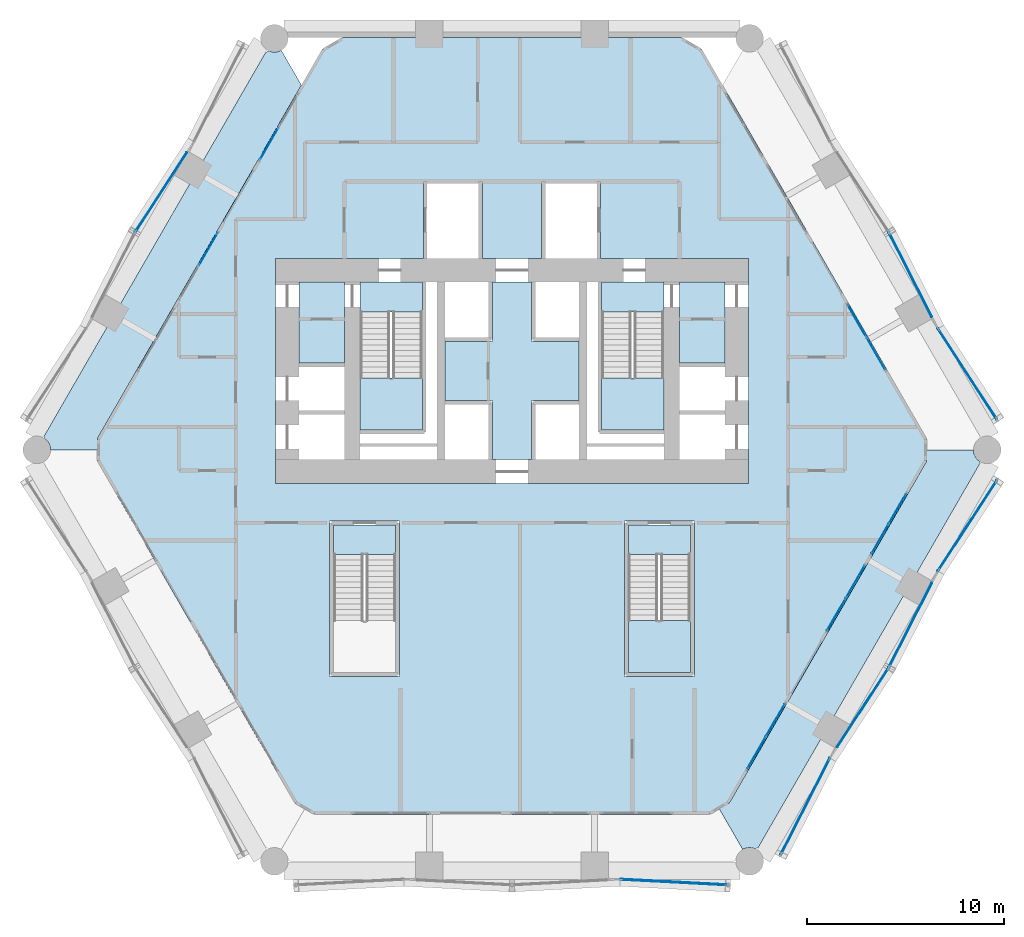
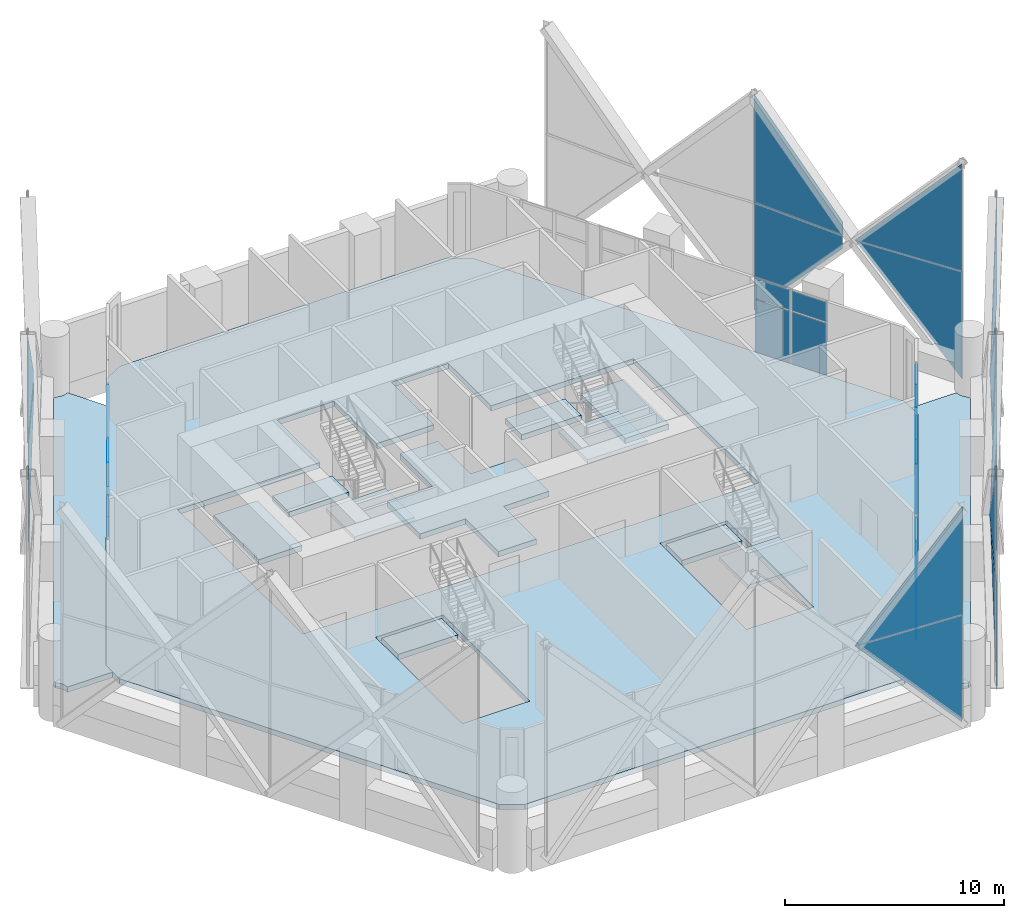
# One storey, part 35 of 46: 35 plates, 13 slabs, 21 elements without a shape of their own.
"""IFC4 building model written with IfcOpenShell, lengths in metres."""

from ifc_helpers import new_model, si_unit, direction, frame, origin, origin_2d, place, context, subcontext, project, spatial, polyline, rectangle, outline, extrude, material, layer, layer_set, type_object, element, aggregate, save


model = new_model("IFC4")

# Units and contexts
model_context = context("Model", 3, precision=1e-05, world=origin(), true_north=direction((0.0, 1.0)))
body_context = subcontext(model_context, "Body", "Model", "MODEL_VIEW")
ifc_project = project(units=[si_unit("LENGTHUNIT", "METRE"), si_unit("AREAUNIT", "SQUARE_METRE"), si_unit("VOLUMEUNIT", "CUBIC_METRE"), si_unit("PLANEANGLEUNIT", "RADIAN"), si_unit("MASSUNIT", "GRAM", prefix="KILO")], contexts=[model_context])

# Site, building, storey
site_placement = place(None, origin())
site = spatial("IfcSite", under=ifc_project, at=site_placement, CompositionType="ELEMENT")
building_placement = place(site_placement, origin())
building = spatial("IfcBuilding", under=site, at=building_placement, Name="Ostrander Bayou Hotel Tower", CompositionType="ELEMENT")
storey_placement = place(building_placement, frame((0.0, 0.0, 23.5)))
storey = spatial("IfcBuildingStorey", under=building, at=storey_placement, Name="L05", CompositionType="ELEMENT", Elevation=23.5)

# Curtain wall, plate
ifc_material_1 = material(Name="Aluminium and clear glass", Category="aluminium")
curtain_wall_type_1 = type_object("IfcCurtainWallType", Name="CW-LAT lattice glazing", PredefinedType="NOTDEFINED", material=ifc_material_1)
curtain_wall_1_placement = place(storey_placement, origin())
curtain_wall_1 = element("IfcCurtainWall", 1, at=curtain_wall_1_placement, inside=storey, type_object=curtain_wall_type_1, Name="CW-LAT L05 NW 1", PredefinedType="NOTDEFINED")
ifc_material_2 = material(Name="Clear laminated glass", Category="glass")
ifc_layer_1 = layer(ifc_material_2, 0.028076171875)
ifc_layer_set_1 = layer_set([ifc_layer_1], Name="CW-LA glazing panel 28 mm")
plate_type_1 = type_object("IfcPlateType", Name="CW-LA glazing panel 28 mm", PredefinedType="CURTAIN_PANEL", material=ifc_layer_set_1)
plate_1_placement = place(storey_placement, frame((-16.4912109375, 15.072509765625, 4.668212890625), z_axis=(-0.83866831588, 0.544642502875, 0.0), x_axis=(-0.367406343741, -0.56575103471, -0.738199394002)))
plate_1 = element("IfcPlate", 2, at=plate_1_placement, type_object=plate_type_1, Name="CW-LAT panel 3", PredefinedType="CURTAIN_PANEL", context=body_context, shape_type="SweptSolid", body=[
    extrude(outline(polyline([(0.0, 0.0), (7.1367039714257245, 4.440892098500626e-16), (2.7075076074163613, 4.047495468687549), (-0.5401327108942082, 0.49358495766831795), (0.0, 0.0)])), origin(), (0.0, 0.0, -1.0), 0.028076171875),
])
aggregate(curtain_wall_1, [plate_1])

curtain_wall_2_placement = place(storey_placement, origin())
curtain_wall_2 = element("IfcCurtainWall", 3, at=curtain_wall_2_placement, inside=storey, type_object=curtain_wall_type_1, Name="CW-LAT L05 NW 2", PredefinedType="NOTDEFINED")
plate_2_placement = place(storey_placement, frame((-16.4912109375, 15.072509765625, 6.1318359375), z_axis=(0.83866831588, -0.544642502875, 0.0), x_axis=(-0.367415622055, -0.565765321932, 0.738183826136)))
plate_2 = element("IfcPlate", 4, at=plate_2_placement, type_object=plate_type_1, Name="CW-LAT panel 4", PredefinedType="CURTAIN_PANEL", context=body_context, shape_type="SweptSolid", body=[
    extrude(outline(polyline([(0.0, 0.0), (7.136523748864649, 4.440892098500626e-16), (2.707420792046409, 4.04759768231774), (-0.5403015407121209, 0.4937621196121656), (0.0, 0.0)])), origin(), (0.0, 0.0, -1.0), 0.028076171875),
])
aggregate(curtain_wall_2, [plate_2])

curtain_wall_3_placement = place(storey_placement, origin())
curtain_wall_3 = element("IfcCurtainWall", 5, at=curtain_wall_3_placement, inside=storey, type_object=curtain_wall_type_1, Name="CW-LAT L05 S 1", PredefinedType="NOTDEFINED")
plate_3_placement = place(storey_placement, frame((5.475341796875, -21.783203125, 5.39990234375), z_axis=(-0.052320446705, -0.998630347454, 0.0), x_axis=(0.673653383854, -0.03529418674, -0.738204198582)))
plate_3 = element("IfcPlate", 6, at=plate_3_placement, type_object=plate_type_1, Name="CW-LAT panel 7", PredefinedType="CURTAIN_PANEL", context=body_context, shape_type="SweptSolid", body=[
    extrude(outline(polyline([(0.0, 0.0), (8.127832395866648, 0.0), (3.69860720437432, 4.047463922390137), (0.0, 0.0)])), origin(), (0.0, 0.0, -1.0), 0.028076171875),
])
aggregate(curtain_wall_3, [plate_3])

curtain_wall_4_placement = place(storey_placement, origin())
curtain_wall_4 = element("IfcCurtainWall", 7, at=curtain_wall_4_placement, inside=storey, type_object=curtain_wall_type_1, Name="CW-LAT L05 S 2", PredefinedType="NOTDEFINED")
plate_4_placement = place(storey_placement, frame((5.475341796875, -21.783203125, 5.39990234375), z_axis=(0.052320446705, 0.998630347454, 0.0), x_axis=(0.673653383854, -0.03529418674, 0.738204198582)))
plate_4 = element("IfcPlate", 8, at=plate_4_placement, type_object=plate_type_1, Name="CW-LAT panel 8", PredefinedType="CURTAIN_PANEL", context=body_context, shape_type="SweptSolid", body=[
    extrude(outline(polyline([(0.0, 0.0), (8.127832395866648, 0.0), (3.69860720437432, 4.047463922390137), (0.0, 0.0)])), origin(), (0.0, 0.0, -1.0), 0.028076171875),
])
aggregate(curtain_wall_4, [plate_4])

curtain_wall_5_placement = place(storey_placement, origin())
curtain_wall_5 = element("IfcCurtainWall", 9, at=curtain_wall_5_placement, inside=storey, type_object=curtain_wall_type_1, Name="CW-LAT L05 SE 3", PredefinedType="NOTDEFINED")
plate_5_placement = place(storey_placement, frame((16.126953125, -15.63330078125, 5.39990234375), z_axis=(-0.891017407703, 0.453969139007, 0.0), x_axis=(-0.306235162835, -0.60105596943, -0.738208471)))
plate_5 = element("IfcPlate", 10, at=plate_5_placement, type_object=plate_type_1, Name="CW-LAT panel 1", PredefinedType="CURTAIN_PANEL", context=body_context, shape_type="SweptSolid", body=[
    extrude(outline(polyline([(0.0, 0.0), (8.127785355637263, 0.0), (3.6985345296381307, 4.047435869829935), (0.0, 0.0)])), origin(), (0.0, 0.0, -1.0), 0.028076171875),
])

curtain_wall_6_placement = place(storey_placement, origin())
curtain_wall_6 = element("IfcCurtainWall", 11, at=curtain_wall_6_placement, inside=storey, type_object=curtain_wall_type_1, Name="CW-LAT L05 SE 4", PredefinedType="NOTDEFINED")
plate_6_placement = place(storey_placement, frame((16.126953125, -15.63330078125, 5.39990234375), z_axis=(0.891017407703, -0.453969139007, 0.0), x_axis=(-0.306235162835, -0.60105596943, 0.738208471)))
plate_6 = element("IfcPlate", 12, at=plate_6_placement, type_object=plate_type_1, Name="CW-LAT panel 2", PredefinedType="CURTAIN_PANEL", context=body_context, shape_type="SweptSolid", body=[
    extrude(outline(polyline([(0.0, 0.0), (8.127785355637263, 0.0), (3.6985345296381307, 4.047435869829935), (0.0, 0.0)])), origin(), (0.0, 0.0, -1.0), 0.028076171875),
])

curtain_wall_7_placement = place(storey_placement, origin())
curtain_wall_7 = element("IfcCurtainWall", 13, at=curtain_wall_7_placement, inside=storey, type_object=curtain_wall_type_1, Name="CW-LAT L05 SE 1", PredefinedType="NOTDEFINED")
plate_7_placement = place(storey_placement, frame((16.4912109375, -15.072509765625, 4.668212890625), z_axis=(0.83866831588, -0.544642502875, 0.0), x_axis=(0.367406343741, 0.56575103471, -0.738199394002)))
plate_7 = element("IfcPlate", 14, at=plate_7_placement, type_object=plate_type_1, Name="CW-LAT panel 3", PredefinedType="CURTAIN_PANEL", context=body_context, shape_type="SweptSolid", body=[
    extrude(outline(polyline([(0.0, 0.0), (7.1367039714257245, 4.440892098500626e-16), (2.7075076074163613, 4.047495468687549), (-0.5401327108942082, 0.49358495766831795), (0.0, 0.0)])), origin(), (0.0, 0.0, -1.0), 0.028076171875),
])

curtain_wall_8_placement = place(storey_placement, origin())
curtain_wall_8 = element("IfcCurtainWall", 15, at=curtain_wall_8_placement, inside=storey, type_object=curtain_wall_type_1, Name="CW-LAT L05 SE 2", PredefinedType="NOTDEFINED")
plate_8_placement = place(storey_placement, frame((16.4912109375, -15.072509765625, 6.1318359375), z_axis=(-0.83866831588, 0.544642502875, 0.0), x_axis=(0.367415622055, 0.565765321932, 0.738183826136)))
plate_8 = element("IfcPlate", 16, at=plate_8_placement, type_object=plate_type_1, Name="CW-LAT panel 4", PredefinedType="CURTAIN_PANEL", context=body_context, shape_type="SweptSolid", body=[
    extrude(outline(polyline([(0.0, 0.0), (7.136523748864649, 4.440892098500626e-16), (2.707420792046409, 4.04759768231774), (-0.5403015407121209, 0.4937621196121656), (0.0, 0.0)])), origin(), (0.0, 0.0, -1.0), 0.028076171875),
])

# Plate
plate_9_placement = place(storey_placement, frame((21.298583984375, -6.74609375, 4.667724609375), z_axis=(-0.891003109581, 0.453997201222, 0.0), x_axis=(-0.306245491879, -0.601029444289, -0.738225782401)))
plate_9 = element("IfcPlate", 17, at=plate_9_placement, type_object=plate_type_1, Name="CW-LAT panel 5", PredefinedType="CURTAIN_PANEL", context=body_context, shape_type="SweptSolid", body=[
    extrude(outline(polyline([(0.0, 0.0), (7.135787439574797, -8.881784197001252e-16), (2.7064327451707584, 4.047322200067707), (-0.5405124808153366, 0.4938931997885358), (0.0, 0.0)])), origin(), (0.0, 0.0, -1.0), 0.028076171875),
])

aggregate(curtain_wall_5, [plate_5, plate_9])

plate_10_placement = place(storey_placement, frame((21.298583984375, -6.74609375, 6.13232421875), z_axis=(0.891003109581, -0.453997201222, 0.0), x_axis=(-0.306253226935, -0.601044624909, 0.738210213869)))
plate_10 = element("IfcPlate", 18, at=plate_10_placement, type_object=plate_type_1, Name="CW-LAT panel 6", PredefinedType="CURTAIN_PANEL", context=body_context, shape_type="SweptSolid", body=[
    extrude(outline(polyline([(0.0, 0.0), (7.135607210571322, 4.440892098500626e-16), (2.706345927358191, 4.047424426104726), (-0.540681308985978, 0.49407036451473707), (0.0, 0.0)])), origin(), (0.0, 0.0, -1.0), 0.028076171875),
])

aggregate(curtain_wall_6, [plate_6, plate_10])

plate_11_placement = place(storey_placement, frame((21.602294921875, -6.14990234375, 5.39990234375), z_axis=(0.838682608864, -0.544620493178, 0.0), x_axis=(0.367389353797, 0.565757377056, -0.738202989037)))
plate_11 = element("IfcPlate", 19, at=plate_11_placement, type_object=plate_type_1, Name="CW-LAT panel 7", PredefinedType="CURTAIN_PANEL", context=body_context, shape_type="SweptSolid", body=[
    extrude(outline(polyline([(0.0, 0.0), (8.127845713309846, 0.0), (3.6986277790855517, 4.047471864157414), (0.0, 0.0)])), origin(), (0.0, 0.0, -1.0), 0.028076171875),
])

aggregate(curtain_wall_7, [plate_7, plate_11])

plate_12_placement = place(storey_placement, frame((21.602294921875, -6.14990234375, 5.39990234375), z_axis=(-0.838682608864, 0.544620493178, 0.0), x_axis=(0.367389353797, 0.565757377056, 0.738202989037)))
plate_12 = element("IfcPlate", 20, at=plate_12_placement, type_object=plate_type_1, Name="CW-LAT panel 8", PredefinedType="CURTAIN_PANEL", context=body_context, shape_type="SweptSolid", body=[
    extrude(outline(polyline([(0.0, 0.0), (8.127845713309846, 0.0), (3.6986277790855517, 4.047471864157414), (0.0, 0.0)])), origin(), (0.0, 0.0, -1.0), 0.028076171875),
])

aggregate(curtain_wall_8, [plate_8, plate_12])

# Curtain wall, plate
curtain_wall_9_placement = place(storey_placement, origin())
curtain_wall_9 = element("IfcCurtainWall", 21, at=curtain_wall_9_placement, inside=storey, type_object=curtain_wall_type_1, Name="CW-LAT L05 NE 3", PredefinedType="NOTDEFINED")
plate_13_placement = place(storey_placement, frame((21.602294921875, 6.14990234375, 5.39990234375), z_axis=(-0.838682608864, -0.544620493178, 0.0), x_axis=(0.367389353797, -0.565757377056, -0.738202989037)))
plate_13 = element("IfcPlate", 22, at=plate_13_placement, type_object=plate_type_1, Name="CW-LAT panel 1", PredefinedType="CURTAIN_PANEL", context=body_context, shape_type="SweptSolid", body=[
    extrude(outline(polyline([(0.0, 0.0), (8.127845713309846, 0.0), (3.6986277790855517, 4.047471864157414), (0.0, 0.0)])), origin(), (0.0, 0.0, -1.0), 0.028076171875),
])
aggregate(curtain_wall_9, [plate_13])

curtain_wall_10_placement = place(storey_placement, origin())
curtain_wall_10 = element("IfcCurtainWall", 23, at=curtain_wall_10_placement, inside=storey, type_object=curtain_wall_type_1, Name="CW-LAT L05 NE 4", PredefinedType="NOTDEFINED")
plate_14_placement = place(storey_placement, frame((21.602294921875, 6.14990234375, 5.39990234375), z_axis=(0.838682608864, 0.544620493178, 0.0), x_axis=(0.367389353797, -0.565757377056, 0.738202989037)))
plate_14 = element("IfcPlate", 24, at=plate_14_placement, type_object=plate_type_1, Name="CW-LAT panel 2", PredefinedType="CURTAIN_PANEL", context=body_context, shape_type="SweptSolid", body=[
    extrude(outline(polyline([(0.0, 0.0), (8.127845713309846, 0.0), (3.6986277790855517, 4.047471864157414), (0.0, 0.0)])), origin(), (0.0, 0.0, -1.0), 0.028076171875),
])
aggregate(curtain_wall_10, [plate_14])

curtain_wall_11_placement = place(storey_placement, origin())
curtain_wall_11 = element("IfcCurtainWall", 25, at=curtain_wall_11_placement, inside=storey, type_object=curtain_wall_type_1, Name="CW-LAT L05 NE 1", PredefinedType="NOTDEFINED")
plate_15_placement = place(storey_placement, frame((21.298583984375, 6.74609375, 4.667724609375), z_axis=(0.891003109581, 0.453997201222, 0.0), x_axis=(-0.306245491879, 0.601029444289, -0.738225782401)))
plate_15 = element("IfcPlate", 26, at=plate_15_placement, type_object=plate_type_1, Name="CW-LAT panel 3", PredefinedType="CURTAIN_PANEL", context=body_context, shape_type="SweptSolid", body=[
    extrude(outline(polyline([(0.0, 0.0), (7.135787439574797, -8.881784197001252e-16), (2.7064327451707584, 4.047322200067707), (-0.5405124808153366, 0.4938931997885358), (0.0, 0.0)])), origin(), (0.0, 0.0, -1.0), 0.028076171875),
])
aggregate(curtain_wall_11, [plate_15])

curtain_wall_12_placement = place(storey_placement, origin())
curtain_wall_12 = element("IfcCurtainWall", 27, at=curtain_wall_12_placement, inside=storey, type_object=curtain_wall_type_1, Name="CW-LAT L05 NE 2", PredefinedType="NOTDEFINED")
plate_16_placement = place(storey_placement, frame((21.298583984375, 6.74609375, 6.13232421875), z_axis=(-0.891003109581, -0.453997201222, 0.0), x_axis=(-0.306253226935, 0.601044624909, 0.738210213869)))
plate_16 = element("IfcPlate", 28, at=plate_16_placement, type_object=plate_type_1, Name="CW-LAT panel 4", PredefinedType="CURTAIN_PANEL", context=body_context, shape_type="SweptSolid", body=[
    extrude(outline(polyline([(0.0, 0.0), (7.135607210571322, 4.440892098500626e-16), (2.706345927358191, 4.047424426104726), (-0.540681308985978, 0.49407036451473707), (0.0, 0.0)])), origin(), (0.0, 0.0, -1.0), 0.028076171875),
])
aggregate(curtain_wall_12, [plate_16])

ifc_material_3 = material(Name="Aluminium and clear glass", Category="aluminium")
curtain_wall_type_2 = type_object("IfcCurtainWallType", Name="CW-SKY amenity glass wall", PredefinedType="NOTDEFINED", material=ifc_material_3)
curtain_wall_13_placement = place(storey_placement, origin())
curtain_wall_13 = element("IfcCurtainWall", 29, at=curtain_wall_13_placement, inside=storey, type_object=curtain_wall_type_2, Name="CW-SKY L05 NW 1", PredefinedType="NOTDEFINED")
ifc_material_4 = material(Name="Clear laminated glass", Category="glass")
ifc_layer_2 = layer(ifc_material_4, 0.028076171875)
ifc_layer_set_2 = layer_set([ifc_layer_2], Name="CW-SK glazing panel 28 mm")
plate_type_2 = type_object("IfcPlateType", Name="CW-SK glazing panel 28 mm", PredefinedType="CURTAIN_PANEL", material=ifc_layer_set_2)
plate_17_placement = place(storey_placement, frame((-12.3115234375, 15.52587890625, 0.06005859375), z_axis=(0.0, 0.0, 1.0), x_axis=(-0.499999897278, -0.866025463091, 0.0)))
plate_17 = element("IfcPlate", 30, at=plate_17_placement, type_object=plate_type_2, Name="CW-SKY panel 2.1", PredefinedType="CURTAIN_PANEL", context=body_context, shape_type="SweptSolid", body=[
    extrude(rectangle(XDim=1.860107421875, YDim=0.028076171875, at=origin_2d()), origin(), (0.0, 0.0, 1.0), 2.909912109375),
])
aggregate(curtain_wall_13, [plate_17])

# Curtain wall, plates
curtain_wall_14_placement = place(storey_placement, origin())
curtain_wall_14 = element("IfcCurtainWall", 31, at=curtain_wall_14_placement, inside=storey, type_object=curtain_wall_type_2, Name="CW-SKY L05 NW 3", PredefinedType="NOTDEFINED")
plate_18_placement = place(storey_placement, frame((-15.401611328125, 10.173828125, 0.06005859375), z_axis=(0.0, 0.0, 1.0), x_axis=(-0.499999897278, -0.866025463091, 0.0)))
plate_18 = element("IfcPlate", 32, at=plate_18_placement, type_object=plate_type_2, Name="CW-SKY panel 1.1", PredefinedType="CURTAIN_PANEL", context=body_context, shape_type="SweptSolid", body=[
    extrude(rectangle(XDim=1.860107421875, YDim=0.028076171875, at=origin_2d()), origin(), (0.0, 0.0, 1.0), 2.909912109375),
])
plate_19_placement = place(storey_placement, frame((-15.401611328125, 10.173828125, 3.02978515625), z_axis=(0.0, 0.0, 1.0), x_axis=(-0.499999897278, -0.866025463091, 0.0)))
plate_19 = element("IfcPlate", 33, at=plate_19_placement, type_object=plate_type_2, Name="CW-SKY panel 1.2", PredefinedType="CURTAIN_PANEL", context=body_context, shape_type="SweptSolid", body=[
    extrude(rectangle(XDim=1.860107421875, YDim=0.028076171875, at=origin_2d()), origin(), (0.0, 0.0, 1.0), 1.110107421875),
])
aggregate(curtain_wall_14, [plate_18, plate_19])

curtain_wall_15_placement = place(storey_placement, origin())
curtain_wall_15 = element("IfcCurtainWall", 34, at=curtain_wall_15_placement, inside=storey, type_object=curtain_wall_type_2, Name="CW-SKY L05 SE 1", PredefinedType="NOTDEFINED")
plate_20_placement = place(storey_placement, frame((12.401611328125, -15.369873046875, 0.06005859375), z_axis=(0.0, 0.0, 1.0), x_axis=(0.499999897278, 0.866025463091, 0.0)))
plate_20 = element("IfcPlate", 35, at=plate_20_placement, type_object=plate_type_2, Name="CW-SKY panel 1.1", PredefinedType="CURTAIN_PANEL", context=body_context, shape_type="SweptSolid", body=[
    extrude(rectangle(XDim=1.860107421875, YDim=0.028076171875, at=origin_2d()), origin(), (0.0, 0.0, 1.0), 2.909912109375),
])
plate_21_placement = place(storey_placement, frame((12.401611328125, -15.369873046875, 3.02978515625), z_axis=(0.0, 0.0, 1.0), x_axis=(0.499999897278, 0.866025463091, 0.0)))
plate_21 = element("IfcPlate", 36, at=plate_21_placement, type_object=plate_type_2, Name="CW-SKY panel 1.2", PredefinedType="CURTAIN_PANEL", context=body_context, shape_type="SweptSolid", body=[
    extrude(rectangle(XDim=1.860107421875, YDim=0.028076171875, at=origin_2d()), origin(), (0.0, 0.0, 1.0), 1.110107421875),
])
plate_22_placement = place(storey_placement, frame((13.361572265625, -13.707275390625, 0.06005859375), z_axis=(0.0, 0.0, 1.0), x_axis=(0.499999897278, 0.866025463091, 0.0)))
plate_22 = element("IfcPlate", 37, at=plate_22_placement, type_object=plate_type_2, Name="CW-SKY panel 2.1", PredefinedType="CURTAIN_PANEL", context=body_context, shape_type="SweptSolid", body=[
    extrude(rectangle(XDim=1.860107421875, YDim=0.028076171875, at=origin_2d()), origin(), (0.0, 0.0, 1.0), 2.909912109375),
])
plate_23_placement = place(storey_placement, frame((13.361572265625, -13.707275390625, 3.02978515625), z_axis=(0.0, 0.0, 1.0), x_axis=(0.499999897278, 0.866025463091, 0.0)))
plate_23 = element("IfcPlate", 38, at=plate_23_placement, type_object=plate_type_2, Name="CW-SKY panel 2.2", PredefinedType="CURTAIN_PANEL", context=body_context, shape_type="SweptSolid", body=[
    extrude(rectangle(XDim=1.860107421875, YDim=0.028076171875, at=origin_2d()), origin(), (0.0, 0.0, 1.0), 1.110107421875),
])
aggregate(curtain_wall_15, [plate_20, plate_21, plate_22, plate_23])

curtain_wall_16_placement = place(storey_placement, origin())
curtain_wall_16 = element("IfcCurtainWall", 39, at=curtain_wall_16_placement, inside=storey, type_object=curtain_wall_type_2, Name="CW-SKY L05 SE 3", PredefinedType="NOTDEFINED")
plate_24_placement = place(storey_placement, frame((16.451416015625, -8.355224609375, 0.06005859375), z_axis=(0.0, 0.0, 1.0), x_axis=(0.499999897278, 0.866025463091, 0.0)))
plate_24 = element("IfcPlate", 40, at=plate_24_placement, type_object=plate_type_2, Name="CW-SKY panel 1.1", PredefinedType="CURTAIN_PANEL", context=body_context, shape_type="SweptSolid", body=[
    extrude(rectangle(XDim=1.860107421875, YDim=0.028076171875, at=origin_2d()), origin(), (0.0, 0.0, 1.0), 2.909912109375),
])
plate_25_placement = place(storey_placement, frame((16.451416015625, -8.355224609375, 3.02978515625), z_axis=(0.0, 0.0, 1.0), x_axis=(0.499999897278, 0.866025463091, 0.0)))
plate_25 = element("IfcPlate", 41, at=plate_25_placement, type_object=plate_type_2, Name="CW-SKY panel 1.2", PredefinedType="CURTAIN_PANEL", context=body_context, shape_type="SweptSolid", body=[
    extrude(rectangle(XDim=1.860107421875, YDim=0.028076171875, at=origin_2d()), origin(), (0.0, 0.0, 1.0), 1.110107421875),
])
plate_26_placement = place(storey_placement, frame((17.41162109375, -6.6923828125, 0.06005859375), z_axis=(0.0, 0.0, 1.0), x_axis=(0.499999897278, 0.866025463091, 0.0)))
plate_26 = element("IfcPlate", 42, at=plate_26_placement, type_object=plate_type_2, Name="CW-SKY panel 2.1", PredefinedType="CURTAIN_PANEL", context=body_context, shape_type="SweptSolid", body=[
    extrude(rectangle(XDim=1.860107421875, YDim=0.028076171875, at=origin_2d()), origin(), (0.0, 0.0, 1.0), 2.909912109375),
])
plate_27_placement = place(storey_placement, frame((17.41162109375, -6.6923828125, 3.02978515625), z_axis=(0.0, 0.0, 1.0), x_axis=(0.499999897278, 0.866025463091, 0.0)))
plate_27 = element("IfcPlate", 43, at=plate_27_placement, type_object=plate_type_2, Name="CW-SKY panel 2.2", PredefinedType="CURTAIN_PANEL", context=body_context, shape_type="SweptSolid", body=[
    extrude(rectangle(XDim=1.860107421875, YDim=0.028076171875, at=origin_2d()), origin(), (0.0, 0.0, 1.0), 1.110107421875),
])
aggregate(curtain_wall_16, [plate_24, plate_25, plate_26, plate_27])

curtain_wall_17_placement = place(storey_placement, origin())
curtain_wall_17 = element("IfcCurtainWall", 44, at=curtain_wall_17_placement, inside=storey, type_object=curtain_wall_type_2, Name="CW-SKY L05 SE 4", PredefinedType="NOTDEFINED")
plate_28_placement = place(storey_placement, frame((18.6640625, -4.52294921875, 0.06005859375), z_axis=(0.0, 0.0, 1.0), x_axis=(0.499998972029, 0.866025997283, 0.0)))
plate_28 = element("IfcPlate", 45, at=plate_28_placement, type_object=plate_type_2, Name="CW-SKY panel 1.1", PredefinedType="CURTAIN_PANEL", context=body_context, shape_type="SweptSolid", body=[
    extrude(rectangle(XDim=1.7099609375, YDim=0.028076171875, at=origin_2d()), origin(), (0.0, 0.0, 1.0), 2.909912109375),
])
plate_29_placement = place(storey_placement, frame((18.6640625, -4.52294921875, 3.02978515625), z_axis=(0.0, 0.0, 1.0), x_axis=(0.499998972029, 0.866025997283, 0.0)))
plate_29 = element("IfcPlate", 46, at=plate_29_placement, type_object=plate_type_2, Name="CW-SKY panel 1.2", PredefinedType="CURTAIN_PANEL", context=body_context, shape_type="SweptSolid", body=[
    extrude(rectangle(XDim=1.7099609375, YDim=0.028076171875, at=origin_2d()), origin(), (0.0, 0.0, 1.0), 1.110107421875),
])
plate_30_placement = place(storey_placement, frame((19.549072265625, -2.990234375, 0.06005859375), z_axis=(0.0, 0.0, 1.0), x_axis=(0.499998972029, 0.866025997283, 0.0)))
plate_30 = element("IfcPlate", 47, at=plate_30_placement, type_object=plate_type_2, Name="CW-SKY panel 2.1", PredefinedType="CURTAIN_PANEL", context=body_context, shape_type="SweptSolid", body=[
    extrude(rectangle(XDim=1.7099609375, YDim=0.028076171875, at=origin_2d()), origin(), (0.0, 0.0, 1.0), 2.909912109375),
])
plate_31_placement = place(storey_placement, frame((19.549072265625, -2.990234375, 3.02978515625), z_axis=(0.0, 0.0, 1.0), x_axis=(0.499998972029, 0.866025997283, 0.0)))
plate_31 = element("IfcPlate", 48, at=plate_31_placement, type_object=plate_type_2, Name="CW-SKY panel 2.2", PredefinedType="CURTAIN_PANEL", context=body_context, shape_type="SweptSolid", body=[
    extrude(rectangle(XDim=1.7099609375, YDim=0.028076171875, at=origin_2d()), origin(), (0.0, 0.0, 1.0), 1.110107421875),
])
aggregate(curtain_wall_17, [plate_28, plate_29, plate_30, plate_31])

curtain_wall_18_placement = place(storey_placement, origin())
curtain_wall_18 = element("IfcCurtainWall", 49, at=curtain_wall_18_placement, inside=storey, type_object=curtain_wall_type_2, Name="CW-SKY L05 NE 2", PredefinedType="NOTDEFINED")
plate_32_placement = place(storey_placement, frame((18.46142578125, 4.873779296875, 0.06005859375), z_axis=(0.0, 0.0, 1.0), x_axis=(-0.499999897278, 0.866025463091, 0.0)))
plate_32 = element("IfcPlate", 50, at=plate_32_placement, type_object=plate_type_2, Name="CW-SKY panel 1.1", PredefinedType="CURTAIN_PANEL", context=body_context, shape_type="SweptSolid", body=[
    extrude(rectangle(XDim=1.860107421875, YDim=0.028076171875, at=origin_2d()), origin(), (0.0, 0.0, 1.0), 2.909912109375),
])
plate_33_placement = place(storey_placement, frame((18.46142578125, 4.873779296875, 3.02978515625), z_axis=(0.0, 0.0, 1.0), x_axis=(-0.499999897278, 0.866025463091, 0.0)))
plate_33 = element("IfcPlate", 51, at=plate_33_placement, type_object=plate_type_2, Name="CW-SKY panel 1.2", PredefinedType="CURTAIN_PANEL", context=body_context, shape_type="SweptSolid", body=[
    extrude(rectangle(XDim=1.860107421875, YDim=0.028076171875, at=origin_2d()), origin(), (0.0, 0.0, 1.0), 1.110107421875),
])
plate_34_placement = place(storey_placement, frame((17.50146484375, 6.536376953125, 0.06005859375), z_axis=(0.0, 0.0, 1.0), x_axis=(-0.499999897278, 0.866025463091, 0.0)))
plate_34 = element("IfcPlate", 52, at=plate_34_placement, type_object=plate_type_2, Name="CW-SKY panel 2.1", PredefinedType="CURTAIN_PANEL", context=body_context, shape_type="SweptSolid", body=[
    extrude(rectangle(XDim=1.860107421875, YDim=0.028076171875, at=origin_2d()), origin(), (0.0, 0.0, 1.0), 2.909912109375),
])
plate_35_placement = place(storey_placement, frame((17.50146484375, 6.536376953125, 3.02978515625), z_axis=(0.0, 0.0, 1.0), x_axis=(-0.499999897278, 0.866025463091, 0.0)))
plate_35 = element("IfcPlate", 53, at=plate_35_placement, type_object=plate_type_2, Name="CW-SKY panel 2.2", PredefinedType="CURTAIN_PANEL", context=body_context, shape_type="SweptSolid", body=[
    extrude(rectangle(XDim=1.860107421875, YDim=0.028076171875, at=origin_2d()), origin(), (0.0, 0.0, 1.0), 1.110107421875),
])
aggregate(curtain_wall_18, [plate_32, plate_33, plate_34, plate_35])

# Slabs
ifc_material_5 = material(Name="Concrete f'c 40 MPa", Category="concrete")
ifc_layer_3 = layer(ifc_material_5, 0.300048828125)
ifc_layer_set_3 = layer_set([ifc_layer_3], Name="SL1 floor slab 300 mm f'c 40 MPa")
slab_type_1 = type_object("IfcSlabType", Name="SL1 floor slab 300 mm f'c 40 MPa", PredefinedType="FLOOR", material=ifc_layer_set_3)
slab_1_placement = place(storey_placement, frame((0.0, 0.0, -0.300048828125)))
element("IfcSlab", 54, at=slab_1_placement, inside=storey, type_object=slab_type_1, Name="SL1 L05 1", PredefinedType="FLOOR", context=body_context, shape_type="SweptSolid", body=[
    extrude(outline(polyline([(-3.525390625, 20.89990234375), (3.525390625, 20.89990234375), (4.865478515625, 20.89990234375), (8.6025390625, 20.89990234375), (9.6416015625, 20.300048828125), (21.015380859375, 0.60009765625), (21.015380859375, -0.60009765625), (11.02734375, -17.89990234375), (9.98828125, -18.5), (-9.98828125, -18.5), (-11.02734375, -17.89990234375), (-21.015380859375, -0.60009765625), (-21.015380859375, 0.60009765625), (-9.6416015625, 20.300048828125), (-8.6025390625, 20.89990234375), (-4.865478515625, 20.89990234375), (-3.525390625, 20.89990234375)]), holes=[polyline([(-12.0, -1.699951171875), (12.0, -1.699951171875), (12.0, 9.699951171875), (4.5, 9.699951171875), (4.5, 13.60009765625), (1.5, 13.60009765625), (1.5, 9.699951171875), (-1.5, 9.699951171875), (-1.5, 13.60009765625), (-4.5, 13.60009765625), (-4.5, 9.699951171875), (-12.0, 9.699951171875), (-12.0, -1.699951171875)]), polyline([(9.25, -3.60009765625), (5.699951171875, -3.60009765625), (5.699951171875, -11.5), (9.25, -11.5), (9.25, -3.60009765625)]), polyline([(-5.699951171875, -3.60009765625), (-9.25, -3.60009765625), (-9.25, -11.5), (-5.699951171875, -11.5), (-5.699951171875, -3.60009765625)])]), origin(), (0.0, 0.0, 1.0), 0.300048828125),
])
slab_2_placement = place(storey_placement, frame((0.0, 0.0, -0.300048828125)))
element("IfcSlab", 55, at=slab_2_placement, inside=storey, type_object=slab_type_1, Name="cslab:L05:001", PredefinedType="FLOOR", context=body_context, shape_type="SweptSolid", body=[
    extrude(outline(polyline([(-3.39990234375, 5.5), (-1.0, 5.5), (-1.0, 8.5), (1.0, 8.5), (1.0, 5.5), (3.39990234375, 5.5), (3.39990234375, 2.5), (1.0, 2.5), (1.0, -0.5), (-1.0, -0.5), (-1.0, 2.5), (-3.39990234375, 2.5), (-3.39990234375, 5.5)])), origin(), (0.0, 0.0, 1.0), 0.300048828125),
])
slab_3_placement = place(storey_placement, frame((0.0, 0.0, -0.300048828125)))
element("IfcSlab", 56, at=slab_3_placement, inside=storey, type_object=slab_type_1, Name="cslab:L05:002", PredefinedType="FLOOR", context=body_context, shape_type="SweptSolid", body=[
    extrude(outline(polyline([(-8.5, 4.39990234375), (-8.5, 8.5), (-10.800048828125, 8.5), (-10.800048828125, 4.39990234375), (-8.5, 4.39990234375)])), origin(), (0.0, 0.0, 1.0), 0.300048828125),
])
slab_4_placement = place(storey_placement, frame((0.0, 0.0, -0.300048828125)))
element("IfcSlab", 57, at=slab_4_placement, inside=storey, type_object=slab_type_1, Name="cslab:L05:003", PredefinedType="FLOOR", context=body_context, shape_type="SweptSolid", body=[
    extrude(outline(polyline([(10.800048828125, 4.39990234375), (10.800048828125, 8.5), (8.5, 8.5), (8.5, 4.39990234375), (10.800048828125, 4.39990234375)])), origin(), (0.0, 0.0, 1.0), 0.300048828125),
])
slab_5_placement = place(storey_placement, frame((0.0, 0.0, -0.300048828125)))
element("IfcSlab", 58, at=slab_5_placement, inside=storey, type_object=slab_type_1, Name="cslab:L05:004", PredefinedType="FLOOR", context=body_context, shape_type="SweptSolid", body=[
    extrude(outline(polyline([(-4.550048828125, 7.0), (-4.550048828125, 8.5), (-7.699951171875, 8.5), (-7.699951171875, 7.0), (-4.550048828125, 7.0)])), origin(), (0.0, 0.0, 1.0), 0.300048828125),
])
slab_6_placement = place(storey_placement, frame((0.0, 0.0, -0.300048828125)))
element("IfcSlab", 59, at=slab_6_placement, inside=storey, type_object=slab_type_1, Name="cslab:L05:005", PredefinedType="FLOOR", context=body_context, shape_type="SweptSolid", body=[
    extrude(outline(polyline([(7.699951171875, 7.0), (7.699951171875, 8.5), (4.550048828125, 8.5), (4.550048828125, 7.0), (7.699951171875, 7.0)])), origin(), (0.0, 0.0, 1.0), 0.300048828125),
])
slab_7_placement = place(storey_placement, frame((0.0, 0.0, -0.300048828125)))
element("IfcSlab", 60, at=slab_7_placement, inside=storey, type_object=slab_type_1, Name="cslab:L05:006", PredefinedType="FLOOR", context=body_context, shape_type="SweptSolid", body=[
    extrude(outline(polyline([(9.050048828125, -5.300048828125), (9.050048828125, -3.800048828125), (5.89990234375, -3.800048828125), (5.89990234375, -5.300048828125), (9.050048828125, -5.300048828125)])), origin(), (0.0, 0.0, 1.0), 0.300048828125),
])
slab_8_placement = place(storey_placement, frame((0.0, 0.0, -0.300048828125)))
element("IfcSlab", 61, at=slab_8_placement, inside=storey, type_object=slab_type_1, Name="cslab:L05:007", PredefinedType="FLOOR", context=body_context, shape_type="SweptSolid", body=[
    extrude(outline(polyline([(-5.89990234375, -5.300048828125), (-5.89990234375, -3.800048828125), (-9.050048828125, -3.800048828125), (-9.050048828125, -5.300048828125), (-5.89990234375, -5.300048828125)])), origin(), (0.0, 0.0, 1.0), 0.300048828125),
])
ifc_material_6 = material(Name="Concrete f'c 40 MPa", Category="concrete")
ifc_layer_4 = layer(ifc_material_6, 0.300048828125)
ifc_layer_set_4 = layer_set([ifc_layer_4], Name="SL4 loggia slab 300 mm f'c 40 MPa")
slab_type_2 = type_object("IfcSlabType", Name="SL4 loggia slab 300 mm f'c 40 MPa", PredefinedType="FLOOR", material=ifc_layer_set_4)
slab_9_placement = place(storey_placement, frame((0.0, 0.0, -0.300048828125)))
element("IfcSlab", 62, at=slab_9_placement, inside=storey, type_object=slab_type_2, Name="SL4 LOGGIA L05 NW 1", PredefinedType="FLOOR", context=body_context, shape_type="SweptSolid", body=[
    extrude(outline(polyline([(-23.401123046875, 0.0), (-23.41455078125, 0.13671875), (-23.45458984375, 0.267822265625), (-23.519287109375, 0.388916015625), (-23.606201171875, 0.4951171875), (-23.7001953125, 0.572021484375), (-23.7001953125, 0.75), (-20.53271484375, 6.236328125), (-19.862548828125, 7.39697265625), (-16.337158203125, 13.503173828125), (-15.667236328125, 14.66357421875), (-12.49951171875, 20.14990234375), (-12.344482421875, 20.239501953125), (-12.318603515625, 20.2255859375), (-12.187255859375, 20.185791015625), (-12.050537109375, 20.172119140625), (-11.9140625, 20.185791015625), (-11.78271484375, 20.2255859375), (-11.7021484375, 20.2685546875), (-10.680908203125, 18.5), (-21.015380859375, 0.60009765625), (-21.015380859375, 0.0), (-23.401123046875, 0.0)])), origin(), (0.0, 0.0, 1.0), 0.300048828125),
])
slab_10_placement = place(storey_placement, frame((0.0, 0.0, -0.300048828125)))
element("IfcSlab", 63, at=slab_10_placement, inside=storey, type_object=slab_type_2, Name="SL4 LOGGIA L05 SE 1", PredefinedType="FLOOR", context=body_context, shape_type="SweptSolid", body=[
    extrude(outline(polyline([(21.015380859375, 0.0), (23.401123046875, 0.0), (23.41455078125, -0.13671875), (23.45458984375, -0.267822265625), (23.519287109375, -0.388916015625), (23.606201171875, -0.4951171875), (23.7001953125, -0.572021484375), (23.7001953125, -0.75), (20.53271484375, -6.236328125), (19.862548828125, -7.39697265625), (16.337158203125, -13.503173828125), (15.667236328125, -14.66357421875), (12.49951171875, -20.14990234375), (12.344482421875, -20.239501953125), (12.318603515625, -20.2255859375), (12.187255859375, -20.185791015625), (12.050537109375, -20.172119140625), (11.9140625, -20.185791015625), (11.78271484375, -20.2255859375), (11.7021484375, -20.2685546875), (10.5078125, -18.199951171875), (11.02734375, -17.89990234375), (21.015380859375, -0.60009765625), (21.015380859375, 0.0)])), origin(), (0.0, 0.0, 1.0), 0.300048828125),
])

# Stair, slab
ifc_material_7 = material(Name="Concrete f'c 45 MPa", Category="concrete")
stair_type = type_object("IfcStairType", Name="ST1 exit stair 1500 mm f'c 45 MPa", PredefinedType="HALF_TURN_STAIR", material=ifc_material_7)
stair_1_placement = place(storey_placement, origin())
stair_1 = element("IfcStair", 64, at=stair_1_placement, inside=storey, type_object=stair_type, Name="L05 exit stair A", PredefinedType="HALF_TURN_STAIR")
ifc_material_8 = material(Name="Concrete f'c 45 MPa", Category="concrete")
ifc_layer_5 = layer(ifc_material_8, 0.199951171875)
ifc_layer_set_5 = layer_set([ifc_layer_5], Name="SL8 stair landing 200 mm f'c 45 MPa")
slab_type_3 = type_object("IfcSlabType", Name="SL8 stair landing 200 mm f'c 45 MPa", PredefinedType="LANDING", material=ifc_layer_set_5)
slab_11_placement = place(storey_placement, frame((0.0, 0.0, 2.050048828125)))
slab_11 = element("IfcSlab", 65, at=slab_11_placement, type_object=slab_type_3, Name="STA landing 1", PredefinedType="LANDING", context=body_context, shape_type="SweptSolid", body=[
    extrude(outline(polyline([(-7.699951171875, 3.639892578125), (-7.699951171875, 1.0), (-4.550048828125, 1.0), (-4.550048828125, 3.639892578125), (-7.699951171875, 3.639892578125)])), origin(), (0.0, 0.0, 1.0), 0.199951171875),
])
aggregate(stair_1, [slab_11])

stair_2_placement = place(storey_placement, origin())
stair_2 = element("IfcStair", 66, at=stair_2_placement, inside=storey, type_object=stair_type, Name="L05 exit stair B", PredefinedType="HALF_TURN_STAIR")
slab_12_placement = place(storey_placement, frame((0.0, 0.0, 2.050048828125)))
slab_12 = element("IfcSlab", 67, at=slab_12_placement, type_object=slab_type_3, Name="STB landing 1", PredefinedType="LANDING", context=body_context, shape_type="SweptSolid", body=[
    extrude(outline(polyline([(4.550048828125, 3.639892578125), (4.550048828125, 1.0), (7.699951171875, 1.0), (7.699951171875, 3.639892578125), (4.550048828125, 3.639892578125)])), origin(), (0.0, 0.0, 1.0), 0.199951171875),
])
aggregate(stair_2, [slab_12])

stair_3_placement = place(storey_placement, origin())
stair_3 = element("IfcStair", 68, at=stair_3_placement, inside=storey, type_object=stair_type, Name="L05 exit stair C", PredefinedType="HALF_TURN_STAIR")
slab_13_placement = place(storey_placement, frame((0.0, 0.0, 2.050048828125)))
slab_13 = element("IfcSlab", 69, at=slab_13_placement, type_object=slab_type_3, Name="STC landing 1", PredefinedType="LANDING", context=body_context, shape_type="SweptSolid", body=[
    extrude(outline(polyline([(5.89990234375, -8.659912109375), (5.89990234375, -11.300048828125), (9.050048828125, -11.300048828125), (9.050048828125, -8.659912109375), (5.89990234375, -8.659912109375)])), origin(), (0.0, 0.0, 1.0), 0.199951171875),
])
aggregate(stair_3, [slab_13])

save(model, "model.ifc")
